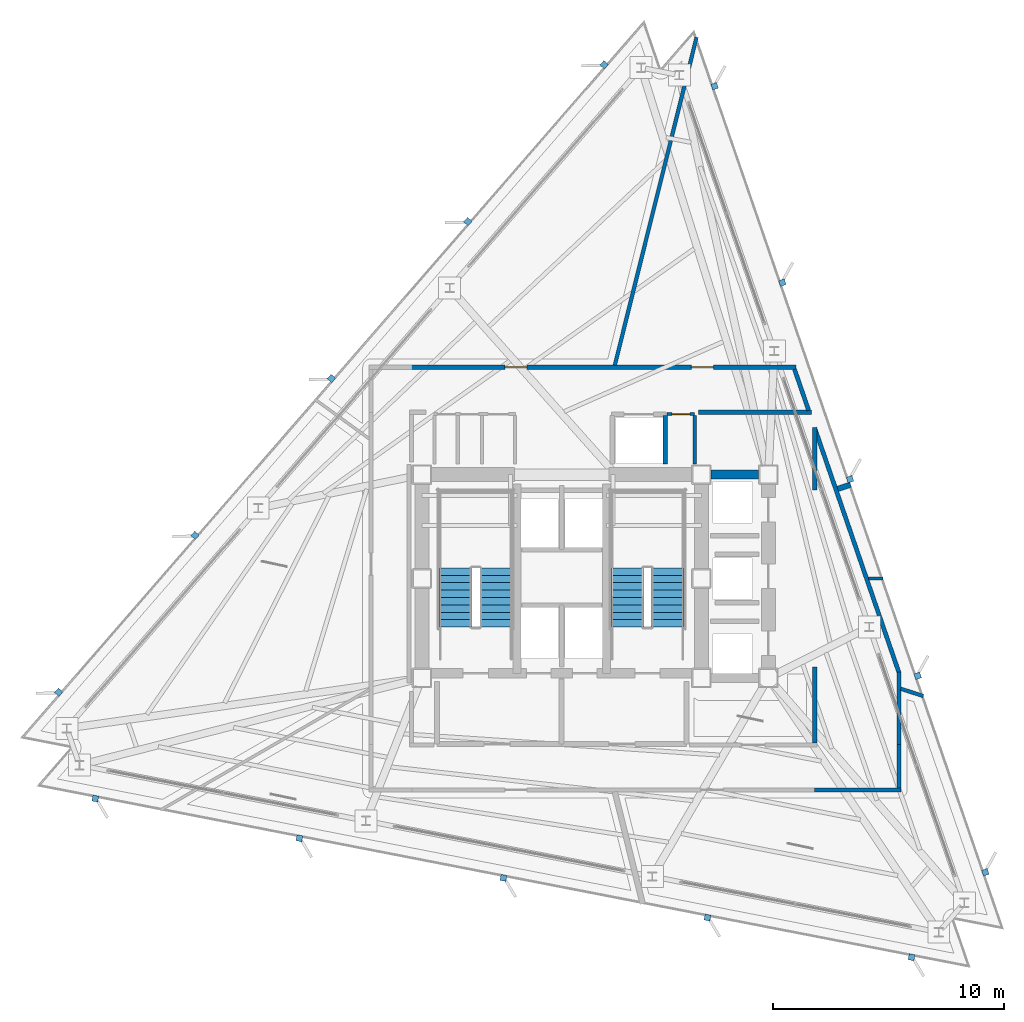
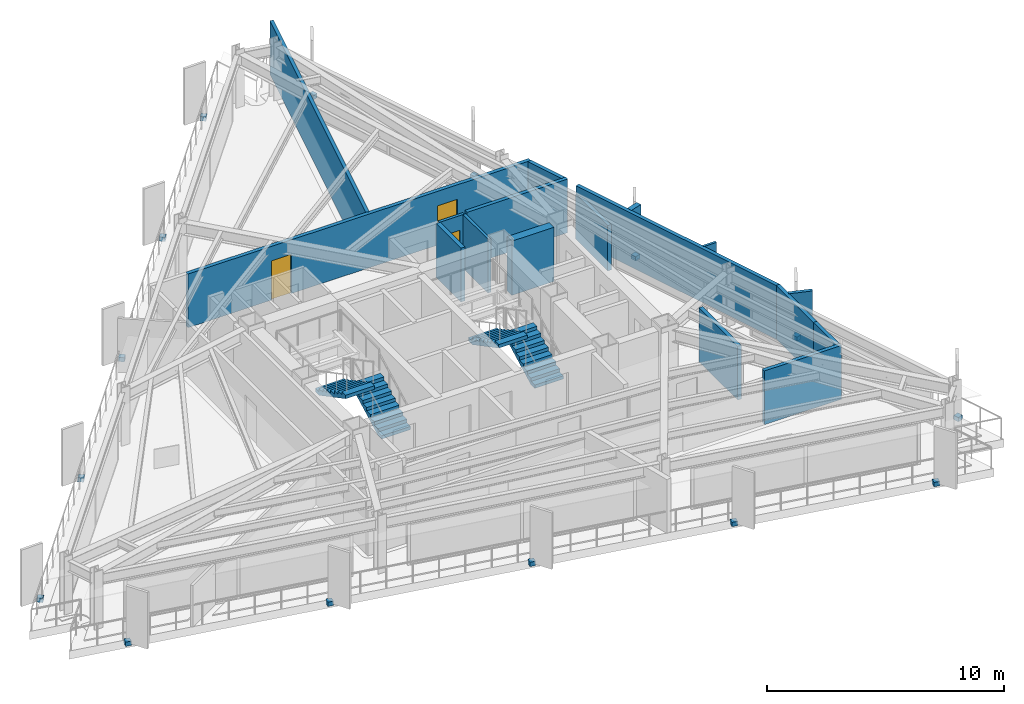
# One storey, part 10 of 13: 17 walls, 15 discrete accessories, 4 stair flights, 3 doors, 3 openings, 2 elements without a shape of their own.
"""IFC4 building model written with IfcOpenShell, lengths in metres."""

from ifc_helpers import new_model, si_unit, direction, frame, frame_2d, origin, origin_2d, place, context, subcontext, project, spatial, polyline, rectangle, outline, extrude, material, layer, layer_set, type_object, element, fill, aggregate, save


model = new_model("IFC4")

# Units and contexts
model_context = context("Model", 3, precision=1e-05, world=origin(), true_north=direction((0.0, 1.0)))
body_context = subcontext(model_context, "Body", "Model", "MODEL_VIEW")
ifc_project = project(units=[si_unit("LENGTHUNIT", "METRE"), si_unit("AREAUNIT", "SQUARE_METRE"), si_unit("VOLUMEUNIT", "CUBIC_METRE"), si_unit("PLANEANGLEUNIT", "RADIAN"), si_unit("MASSUNIT", "GRAM", prefix="KILO")], contexts=[model_context])

# Site, building, storey
site_placement = place(None, origin())
site = spatial("IfcSite", under=ifc_project, at=site_placement, CompositionType="ELEMENT")
building_placement = place(site_placement, origin())
building = spatial("IfcBuilding", under=site, at=building_placement, Name="Rocaltana Carrier Exchange", CompositionType="ELEMENT")
storey_placement = place(building_placement, frame((0.0, 0.0, 147.199951171875)))
storey = spatial("IfcBuildingStorey", under=building, at=storey_placement, Name="L46", CompositionType="ELEMENT", Elevation=147.199951171875)

# Walls
ifc_material_1 = material(Name="Double Acoustic Gypsum Partition", Category="gypsum")
ifc_layer_1 = layer(ifc_material_1, 0.159912109375)
ifc_layer_set_1 = layer_set([ifc_layer_1], Name="Double Acoustic Gypsum Partition")
wall_type_1 = type_object("IfcWallType", Name="Acoustic Studio Partition 160 EI60", PredefinedType="PARTITIONING", material=ifc_layer_set_1)
wall_1_placement = place(storey_placement, frame((14.679931640625, -4.769775390625, 0.0), z_axis=(0.0, 0.0, 1.0), x_axis=(0.951039270022, -0.309070067906, 0.0)))
element("IfcWall", 1, at=wall_1_placement, inside=storey, type_object=wall_type_1, Name="L46 Suite Divider Wall D3", PredefinedType="PARTITIONING", context=body_context, shape_type="SweptSolid", body=[
    extrude(rectangle(XDim=1.034912109375, YDim=0.159912109375, at=frame_2d((0.517578125, 0.0))), origin(), (0.0, 0.0, 1.0), 2.762939453125),
])
wall_2_placement = place(storey_placement, frame((2.30126953125, 9.22998046875, 0.0), z_axis=(0.0, 0.0, 1.0), x_axis=(0.241931245301, 0.970293395086, 0.0)))
element("IfcWall", 2, at=wall_2_placement, inside=storey, type_object=wall_type_1, Name="L46 Suite Divider Wall D6", PredefinedType="PARTITIONING", context=body_context, shape_type="SweptSolid", body=[
    extrude(rectangle(XDim=14.638427734375, YDim=0.159912109375, at=frame_2d((7.3193359375, 0.0))), origin(), (0.0, 0.0, 1.0), 2.762939453125),
])
ifc_material_2 = material(Name="Concrete C50/60", Category="concrete")
ifc_layer_2 = layer(ifc_material_2, 0.39990234375)
ifc_layer_set_2 = layer_set([ifc_layer_2], Name="Concrete C50/60")
wall_type_2 = type_object("IfcWallType", Name="Core Internal Shear Wall 400", PredefinedType="SHEAR", material=ifc_layer_set_2)
wall_3_placement = place(storey_placement, frame((6.47509765625, 4.5, 0.0), z_axis=(0.0, 0.0, 1.0), x_axis=(1.0, 0.0, 0.0)))
element("IfcWall", 3, at=wall_3_placement, inside=storey, type_object=wall_type_2, Name="L46 Core Shear Wall CW-EWN", PredefinedType="SHEAR", context=body_context, shape_type="SweptSolid", body=[
    extrude(rectangle(XDim=2.0498046875, YDim=0.39990234375, at=frame_2d((1.02490234375, 0.0))), origin(), (0.0, 0.0, 1.0), 2.7880859375),
])

# Wall, openings, doors
ifc_material_3 = material(Name="Gypsum & Steel Stud Partition", Category="steel")
ifc_layer_3 = layer(ifc_material_3, 0.179931640625)
ifc_layer_set_3 = layer_set([ifc_layer_3], Name="Gypsum & Steel Stud Partition")
wall_type_3 = type_object("IfcWallType", Name="Corridor Fire Partition 180 EI60", PredefinedType="PARTITIONING", material=ifc_layer_set_3)
wall_4_placement = place(storey_placement, frame((-6.52001953125, 9.14990234375, 0.0), z_axis=(0.0, 0.0, 1.0), x_axis=(1.0, 0.0, 0.0)))
wall_4 = element("IfcWall", 4, at=wall_4_placement, inside=storey, type_object=wall_type_3, Name="L46 Corridor Partition 6", PredefinedType="PARTITIONING", context=body_context, shape_type="SweptSolid", body=[
    extrude(rectangle(XDim=16.662353515625, YDim=0.179931640625, at=frame_2d((8.3310546875, 0.0))), origin(), (0.0, 0.0, 1.0), 2.762939453125),
])
opening_1_placement = place(wall_4_placement, frame((12.1328125, 0.0, 0.0)))
opening_1 = element("IfcOpeningElement", 5, at=opening_1_placement, cuts=wall_4, Name="Opening D-RM098", PredefinedType="OPENING", context=body_context, shape_type="SweptSolid", body=[
    extrude(rectangle(XDim=0.9599609375, YDim=2.02001953125, at=frame_2d((0.47998046875, 1.010009765625))), frame((0.0, 0.099853515625, 0.0), z_axis=(0.0, -1.0, 0.0), x_axis=(1.0, 0.0, 0.0)), (0.0, 0.0, 1.0), 0.199951171875),
])
opening_2_placement = place(wall_4_placement, frame((4.059814453125, 0.0, 0.0)))
opening_2 = element("IfcOpeningElement", 6, at=opening_2_placement, cuts=wall_4, Name="Opening D-RM098", PredefinedType="OPENING", context=body_context, shape_type="SweptSolid", body=[
    extrude(rectangle(XDim=0.9599609375, YDim=2.02001953125, at=frame_2d((0.47998046875, 1.010009765625))), frame((0.0, 0.099853515625, 0.0), z_axis=(0.0, -1.0, 0.0), x_axis=(1.0, 0.0, 0.0)), (0.0, 0.0, 1.0), 0.199951171875),
])
ifc_material_4 = material(Name="Engineered Hardwood Timber", Category="wood")
door_type_1 = type_object("IfcDoorType", Name="Workspace Single Door 960x2020", OperationType="NOTDEFINED", PredefinedType="DOOR", material=ifc_material_4)
door_1_placement = place(opening_1_placement, origin())
door_1 = element("IfcDoor", 7, at=door_1_placement, inside=storey, type_object=door_type_1, Name="L46 Peering Conference Room Entrance Door", OperationType="SINGLE_SWING_RIGHT", OverallHeight=2.02001953125, OverallWidth=0.9599609375, PredefinedType="DOOR", context=body_context, shape_type="SweptSolid", body=[
    extrude(rectangle(XDim=0.9599609375, YDim=2.02001953125, at=frame_2d((0.47998046875, 1.010009765625))), frame((0.0, 0.02490234375, 0.0), z_axis=(0.0, -1.0, 0.0), x_axis=(1.0, 0.0, 0.0)), (0.0, 0.0, 1.0), 0.050048828125),
])
fill(opening_1, door_1)
door_2_placement = place(opening_2_placement, origin())
door_2 = element("IfcDoor", 8, at=door_2_placement, inside=storey, type_object=door_type_1, Name="L46 Network Operations Office Entrance Door", OperationType="SINGLE_SWING_LEFT", OverallHeight=2.02001953125, OverallWidth=0.9599609375, PredefinedType="DOOR", context=body_context, shape_type="SweptSolid", body=[
    extrude(rectangle(XDim=0.9599609375, YDim=2.02001953125, at=frame_2d((0.47998046875, 1.010009765625))), frame((0.0, 0.02490234375, 0.0), z_axis=(0.0, -1.0, 0.0), x_axis=(1.0, 0.0, 0.0)), (0.0, 0.0, 1.0), 0.050048828125),
])
fill(opening_2, door_2)

# Walls
wall_5_placement = place(storey_placement, frame((10.08154296875, 9.06494140625, 0.0), z_axis=(0.0, 0.0, 1.0), x_axis=(0.325550958337, -0.945524496524, 0.0)))
element("IfcWall", 9, at=wall_5_placement, inside=storey, type_object=wall_type_3, Name="L46 Corridor Partition 7", PredefinedType="PARTITIONING", context=body_context, shape_type="SweptSolid", body=[
    extrude(rectangle(XDim=1.88232421875, YDim=0.179931640625, at=frame_2d((0.941162109375, 0.0))), origin(), (0.0, 0.0, 1.0), 2.762939453125),
])
wall_6_placement = place(storey_placement, frame((10.813720703125, 7.199951171875, 0.0), z_axis=(0.0, 0.0, 1.0), x_axis=(-1.0, 0.0, 0.0)))
element("IfcWall", 10, at=wall_6_placement, inside=storey, type_object=wall_type_3, Name="L46 Corridor Partition 8", PredefinedType="PARTITIONING", context=body_context, shape_type="SweptSolid", body=[
    extrude(rectangle(XDim=4.8837890625, YDim=0.179931640625, at=frame_2d((2.44189453125, 0.0))), origin(), (0.0, 0.0, 1.0), 2.762939453125),
])
wall_7_placement = place(storey_placement, frame((10.9599609375, -7.110107421875, 0.0), z_axis=(0.0, 0.0, 1.0), x_axis=(0.0, 1.0, 0.0)))
element("IfcWall", 11, at=wall_7_placement, inside=storey, type_object=wall_type_3, Name="L46 Corridor Partition 15", PredefinedType="PARTITIONING", context=body_context, shape_type="SweptSolid", body=[
    extrude(rectangle(XDim=3.2705078125, YDim=0.179931640625, at=frame_2d((1.63525390625, 0.0))), origin(), (0.0, 0.0, 1.0), 2.762939453125),
])
wall_8_placement = place(storey_placement, frame((10.9599609375, 3.839599609375, 0.0), z_axis=(0.0, 0.0, 1.0), x_axis=(0.0, 1.0, 0.0)))
element("IfcWall", 12, at=wall_8_placement, inside=storey, type_object=wall_type_3, Name="L46 Corridor Partition 16", PredefinedType="PARTITIONING", context=body_context, shape_type="SweptSolid", body=[
    extrude(rectangle(XDim=2.694091796875, YDim=0.179931640625, at=frame_2d((1.34716796875, 0.0))), origin(), (0.0, 0.0, 1.0), 2.330078125),
])
wall_9_placement = place(storey_placement, frame((10.95361328125, 6.53271484375, 0.0), z_axis=(0.0, 0.0, 1.0), x_axis=(0.325553439946, -0.945523642084, 0.0)))
element("IfcWall", 13, at=wall_9_placement, inside=storey, type_object=wall_type_3, Name="L46 Corridor Partition 17", PredefinedType="PARTITIONING", context=body_context, shape_type="SweptSolid", body=[
    extrude(rectangle(XDim=11.220458984375, YDim=0.179931640625, at=frame_2d((5.6103515625, 0.0))), origin(), (0.0, 0.0, 1.0), 2.762939453125),
])
wall_10_placement = place(storey_placement, frame((14.60009765625, -4.03759765625, 0.0), z_axis=(0.0, 0.0, 1.0), x_axis=(0.0, -1.0, 0.0)))
element("IfcWall", 14, at=wall_10_placement, inside=storey, type_object=wall_type_3, Name="L46 Corridor Partition 18", PredefinedType="PARTITIONING", context=body_context, shape_type="SweptSolid", body=[
    extrude(rectangle(XDim=3.182373046875, YDim=0.179931640625, at=frame_2d((1.59130859375, 0.0))), origin(), (0.0, 0.0, 1.0), 2.762939453125),
])
wall_11_placement = place(storey_placement, frame((14.60009765625, -7.179931640625, 0.0), z_axis=(0.0, 0.0, 1.0), x_axis=(0.0, -1.0, 0.0)))
element("IfcWall", 15, at=wall_11_placement, inside=storey, type_object=wall_type_3, Name="L46 Corridor Partition 19", PredefinedType="PARTITIONING", context=body_context, shape_type="SweptSolid", body=[
    extrude(rectangle(XDim=1.880126953125, YDim=0.179931640625, at=frame_2d((0.93994140625, 0.0))), origin(), (0.0, 0.0, 1.0), 2.762939453125),
])
wall_12_placement = place(storey_placement, frame((14.68994140625, -9.14990234375, 0.0), z_axis=(0.0, 0.0, 1.0), x_axis=(-1.0, 0.0, 0.0)))
element("IfcWall", 16, at=wall_12_placement, inside=storey, type_object=wall_type_3, Name="L46 Corridor Partition 20", PredefinedType="PARTITIONING", context=body_context, shape_type="SweptSolid", body=[
    extrude(rectangle(XDim=3.75, YDim=0.179931640625, at=frame_2d((1.875, 0.0))), origin(), (0.0, 0.0, 1.0), 2.762939453125),
])
ifc_material_5 = material(Name="Aluminium 6063-T6 & Acoustic Glass", Category="aluminium")
ifc_layer_4 = layer(ifc_material_5, 0.114990234375)
ifc_layer_set_4 = layer_set([ifc_layer_4], Name="Aluminium 6063-T6 & Acoustic Glass")
wall_type_4 = type_object("IfcWallType", Name="Demountable Glazed Lab Partition 115", PredefinedType="MOVABLE", material=ifc_layer_set_4)
wall_13_placement = place(storey_placement, frame((13.28759765625, 0.0, 0.0), z_axis=(0.0, 0.0, 1.0), x_axis=(1.0, 0.0, 0.0)))
element("IfcWall", 17, at=wall_13_placement, inside=storey, type_object=wall_type_4, Name="L46 Suite Divider Wall D4", PredefinedType="MOVABLE", context=body_context, shape_type="SweptSolid", body=[
    extrude(rectangle(XDim=0.6240234375, YDim=0.114990234375, at=frame_2d((0.31201171875, 0.0))), origin(), (0.0, 0.0, 1.0), 2.762939453125),
])
ifc_material_6 = material(Name="Acoustic Calcium Silicate Partition", Category="gypsum")
ifc_layer_5 = layer(ifc_material_6, 0.239990234375)
ifc_layer_set_5 = layer_set([ifc_layer_5], Name="Acoustic Calcium Silicate Partition")
wall_type_5 = type_object("IfcWallType", Name="Heavy Lab Partition 240 EI90", PredefinedType="PARTITIONING", material=ifc_layer_set_5)
wall_14_placement = place(storey_placement, frame((11.950439453125, 3.8828125, 0.0), z_axis=(0.0, 0.0, 1.0), x_axis=(0.951055346906, 0.309020593362, 0.0)))
element("IfcWall", 18, at=wall_14_placement, inside=storey, type_object=wall_type_5, Name="L46 Suite Divider Wall D5", PredefinedType="PARTITIONING", context=body_context, shape_type="SweptSolid", body=[
    extrude(rectangle(XDim=0.590087890625, YDim=0.239990234375, at=frame_2d((0.294921875, 0.0))), origin(), (0.0, 0.0, 1.0), 2.762939453125),
])
ifc_material_7 = material(Name="Reinforced Concrete Block C35/45", Category="concrete")
ifc_layer_6 = layer(ifc_material_7, 0.199951171875)
ifc_layer_set_6 = layer_set([ifc_layer_6], Name="Reinforced Concrete Block C35/45")
wall_type_6 = type_object("IfcWallType", Name="Lift Hoistway Enclosure Wall 200 EI120", PredefinedType="PARTITIONING", material=ifc_layer_set_6)
wall_15_placement = place(storey_placement, frame((4.47998046875, 4.949951171875, 0.0), z_axis=(0.0, 0.0, 1.0), x_axis=(0.0, 1.0, 0.0)))
element("IfcWall", 19, at=wall_15_placement, inside=storey, type_object=wall_type_6, Name="L46 Goods Lift East Wall", PredefinedType="PARTITIONING", context=body_context, shape_type="SweptSolid", body=[
    extrude(rectangle(XDim=2.10009765625, YDim=0.199951171875, at=frame_2d((1.050048828125, 0.0))), origin(), (0.0, 0.0, 1.0), 2.762939453125),
])
ifc_material_8 = material(Name="Moisture-Resistant Masonry C30/37", Category="masonry")
ifc_layer_7 = layer(ifc_material_8, 0.139892578125)
ifc_layer_set_7 = layer_set([ifc_layer_7], Name="Moisture-Resistant Masonry C30/37")
wall_type_7 = type_object("IfcWallType", Name="Wet-Area Sanitary Partition 140", PredefinedType="PARTITIONING", material=ifc_layer_set_7)
wall_16_placement = place(storey_placement, frame((5.760009765625, 4.949951171875, 0.0), z_axis=(0.0, 0.0, 1.0), x_axis=(0.0, 1.0, 0.0)))
element("IfcWall", 20, at=wall_16_placement, inside=storey, type_object=wall_type_7, Name="L46 Riser East Wall", PredefinedType="PARTITIONING", context=body_context, shape_type="SweptSolid", body=[
    extrude(rectangle(XDim=2.10009765625, YDim=0.139892578125, at=frame_2d((1.050048828125, 0.0))), origin(), (0.0, 0.0, 1.0), 2.762939453125),
])

# Wall, opening, door
wall_17_placement = place(storey_placement, frame((4.56005859375, 7.1201171875, 0.0), z_axis=(0.0, 0.0, 1.0), x_axis=(1.0, 0.0, 0.0)))
wall_17 = element("IfcWall", 21, at=wall_17_placement, inside=storey, type_object=wall_type_7, Name="L46 Riser North Wall", PredefinedType="PARTITIONING", context=body_context, shape_type="SweptSolid", body=[
    extrude(rectangle(XDim=1.199951171875, YDim=0.139892578125, at=frame_2d((0.60009765625, 0.0))), origin(), (0.0, 0.0, 1.0), 2.762939453125),
])
opening_3_placement = place(wall_17_placement, frame((0.2099609375, 0.0, 0.0)))
opening_3 = element("IfcOpeningElement", 22, at=opening_3_placement, cuts=wall_17, Name="Opening D-RS082", PredefinedType="OPENING", context=body_context, shape_type="SweptSolid", body=[
    extrude(rectangle(XDim=0.780029296875, YDim=2.010009765625, at=frame_2d((0.39013671875, 1.0048828125))), frame((0.0, 0.079833984375, 0.0), z_axis=(0.0, -1.0, 0.0), x_axis=(1.0, 0.0, 0.0)), (0.0, 0.0, 1.0), 0.159912109375),
])
ifc_material_9 = material(Name="Hollow Metal Access Door Leaf", Category="steel")
door_type_2 = type_object("IfcDoorType", Name="Riser & Service Closet Door 780x2010", OperationType="NOTDEFINED", PredefinedType="DOOR", material=ifc_material_9)
door_3_placement = place(opening_3_placement, origin())
door_3 = element("IfcDoor", 23, at=door_3_placement, inside=storey, type_object=door_type_2, Name="L46 Signal Riser Closet Door", OperationType="SINGLE_SWING_LEFT", OverallHeight=2.010009765625, OverallWidth=0.780029296875, PredefinedType="DOOR", context=body_context, shape_type="SweptSolid", body=[
    extrude(rectangle(XDim=0.780029296875, YDim=2.010009765625, at=frame_2d((0.39013671875, 1.0048828125))), frame((0.0, 0.02490234375, 0.0), z_axis=(0.0, -1.0, 0.0), x_axis=(1.0, 0.0, 0.0)), (0.0, 0.0, 1.0), 0.050048828125),
])
fill(opening_3, door_3)

# Stair, stair flights
ifc_material_10 = material(Name="Precast concrete C45/55", Category="concrete")
stair_type = type_object("IfcStairType", Name="Standard Dog-Leg Stair 160", PredefinedType="HALF_TURN_STAIR", material=ifc_material_10)
stair_1_placement = place(storey_placement, origin())
stair_1 = element("IfcStair", 24, at=stair_1_placement, inside=storey, type_object=stair_type, Name="L46 Core West Exit Stair ST-1", PredefinedType="HALF_TURN_STAIR")
ifc_material_11 = material(Name="Precast concrete C45/55", Category="concrete")
stair_flight_type = type_object("IfcStairFlightType", Name="Precast Stair Flight 160", PredefinedType="STRAIGHT", material=ifc_material_11)
stair_flight_1_placement = place(storey_placement, frame((-2.840087890625, -2.10009765625, 0.0), z_axis=(0.0, 0.0, 1.0), x_axis=(0.0, 1.0, 0.0)))
stair_flight_1 = element("IfcStairFlight", 25, at=stair_flight_1_placement, type_object=stair_flight_type, Name="ST-1 flight 1", NumberOfRisers=9, NumberOfTreads=8, PredefinedType="STRAIGHT", RiserHeight=0.168888889, TreadLength=0.32, context=body_context, shape_type="SweptSolid", body=[
    extrude(outline(polyline([(0.0, 0.0), (0.0, 0.1689453125), (0.320068359375, 0.1689453125), (0.320068359375, 0.337890625), (0.639892578125, 0.337890625), (0.639892578125, 0.506591796875), (0.9599609375, 0.506591796875), (0.9599609375, 0.675537109375), (1.280029296875, 0.675537109375), (1.280029296875, 0.844482421875), (1.60009765625, 0.844482421875), (1.60009765625, 1.013427734375), (1.919921875, 1.013427734375), (1.919921875, 1.18212890625), (2.239990234375, 1.18212890625), (2.239990234375, 1.35107421875), (2.56005859375, 1.35107421875), (2.56005859375, 1.52001953125), (2.56005859375, 1.17041015625), (0.342529296875, 0.0), (0.0, 0.0)])), frame((0.0, 0.699951171875, 0.0), z_axis=(0.0, -1.0, 0.0), x_axis=(1.0, 0.0, 0.0)), (0.0, 0.0, 1.0), 1.39990234375),
])
stair_flight_2_placement = place(storey_placement, frame((-4.60009765625, 0.4599609375, 1.52001953125), z_axis=(0.0, 0.0, 1.0), x_axis=(0.0, -1.0, 0.0)))
stair_flight_2 = element("IfcStairFlight", 26, at=stair_flight_2_placement, type_object=stair_flight_type, Name="ST-1 flight 2", NumberOfRisers=9, NumberOfTreads=8, PredefinedType="STRAIGHT", RiserHeight=0.168888889, TreadLength=0.32, context=body_context, shape_type="SweptSolid", body=[
    extrude(outline(polyline([(0.0, 0.0), (0.0, 0.1689453125), (0.320068359375, 0.1689453125), (0.320068359375, 0.337890625), (0.639892578125, 0.337890625), (0.639892578125, 0.506591796875), (0.9599609375, 0.506591796875), (0.9599609375, 0.675537109375), (1.280029296875, 0.675537109375), (1.280029296875, 0.844482421875), (1.60009765625, 0.844482421875), (1.60009765625, 1.013427734375), (1.919921875, 1.013427734375), (1.919921875, 1.18212890625), (2.239990234375, 1.18212890625), (2.239990234375, 1.35107421875), (2.56005859375, 1.35107421875), (2.56005859375, 1.52001953125), (2.56005859375, 1.17041015625), (0.342529296875, 0.0), (0.0, 0.0)])), frame((0.0, 0.699951171875, 0.0), z_axis=(0.0, -1.0, 0.0), x_axis=(1.0, 0.0, 0.0)), (0.0, 0.0, 1.0), 1.39990234375),
])
aggregate(stair_1, [stair_flight_1, stair_flight_2])

stair_2_placement = place(storey_placement, origin())
stair_2 = element("IfcStair", 27, at=stair_2_placement, inside=storey, type_object=stair_type, Name="L46 Core East Exit Stair ST-2", PredefinedType="HALF_TURN_STAIR")
stair_flight_3_placement = place(storey_placement, frame((4.60009765625, -2.10009765625, 0.0), z_axis=(0.0, 0.0, 1.0), x_axis=(0.0, 1.0, 0.0)))
stair_flight_3 = element("IfcStairFlight", 28, at=stair_flight_3_placement, type_object=stair_flight_type, Name="ST-2 flight 1", NumberOfRisers=9, NumberOfTreads=8, PredefinedType="STRAIGHT", RiserHeight=0.168888889, TreadLength=0.32, context=body_context, shape_type="SweptSolid", body=[
    extrude(outline(polyline([(0.0, 0.0), (0.0, 0.1689453125), (0.320068359375, 0.1689453125), (0.320068359375, 0.337890625), (0.639892578125, 0.337890625), (0.639892578125, 0.506591796875), (0.9599609375, 0.506591796875), (0.9599609375, 0.675537109375), (1.280029296875, 0.675537109375), (1.280029296875, 0.844482421875), (1.60009765625, 0.844482421875), (1.60009765625, 1.013427734375), (1.919921875, 1.013427734375), (1.919921875, 1.18212890625), (2.239990234375, 1.18212890625), (2.239990234375, 1.35107421875), (2.56005859375, 1.35107421875), (2.56005859375, 1.52001953125), (2.56005859375, 1.17041015625), (0.342529296875, 0.0), (0.0, 0.0)])), frame((0.0, 0.699951171875, 0.0), z_axis=(0.0, -1.0, 0.0), x_axis=(1.0, 0.0, 0.0)), (0.0, 0.0, 1.0), 1.39990234375),
])
stair_flight_4_placement = place(storey_placement, frame((2.840087890625, 0.4599609375, 1.52001953125), z_axis=(0.0, 0.0, 1.0), x_axis=(0.0, -1.0, 0.0)))
stair_flight_4 = element("IfcStairFlight", 29, at=stair_flight_4_placement, type_object=stair_flight_type, Name="ST-2 flight 2", NumberOfRisers=9, NumberOfTreads=8, PredefinedType="STRAIGHT", RiserHeight=0.168888889, TreadLength=0.32, context=body_context, shape_type="SweptSolid", body=[
    extrude(outline(polyline([(0.0, 0.0), (0.0, 0.1689453125), (0.320068359375, 0.1689453125), (0.320068359375, 0.337890625), (0.639892578125, 0.337890625), (0.639892578125, 0.506591796875), (0.9599609375, 0.506591796875), (0.9599609375, 0.675537109375), (1.280029296875, 0.675537109375), (1.280029296875, 0.844482421875), (1.60009765625, 0.844482421875), (1.60009765625, 1.013427734375), (1.919921875, 1.013427734375), (1.919921875, 1.18212890625), (2.239990234375, 1.18212890625), (2.239990234375, 1.35107421875), (2.56005859375, 1.35107421875), (2.56005859375, 1.52001953125), (2.56005859375, 1.17041015625), (0.342529296875, 0.0), (0.0, 0.0)])), frame((0.0, 0.699951171875, 0.0), z_axis=(0.0, -1.0, 0.0), x_axis=(1.0, 0.0, 0.0)), (0.0, 0.0, 1.0), 1.39990234375),
])
aggregate(stair_2, [stair_flight_3, stair_flight_4])

# Discrete accessories
ifc_material_12 = material(Name="Brushed Architectural Stainless Metal", Category="steel")
ifc_layer_8 = layer(ifc_material_12, 0.219970703125)
ifc_layer_set_8 = layer_set([ifc_layer_8], Name="Brushed Architectural Stainless Metal")
discrete_accessory_type = type_object("IfcDiscreteAccessoryType", Name="Stainless Fin Slab-Edge Bracket 260x260x220", PredefinedType="BRACKET", material=ifc_layer_set_8)
for number, where, z_axis, x_axis, name in (
    (30, (18.344482421875, -12.720703125, -0.2099609375), (0.0, 0.0, 1.0), (-0.325568154457, 0.945518575599, 0.0), "L46 Sandstone Fin Edge Bracket F1-01"),
    (31, (15.414306640625, -4.2109375, -0.2099609375), (0.0, 0.0, 1.0), (-0.325568154457, 0.945518575599, 0.0), "L46 Sandstone Fin Edge Bracket F1-02"),
    (32, (12.484130859375, 4.298583984375, -0.2099609375), (0.0, 0.0, 1.0), (-0.325568154457, 0.945518575599, 0.0), "L46 Sandstone Fin Edge Bracket F1-03"),
    (33, (9.55419921875, 12.808349609375, -0.2099609375), (0.0, 0.0, 1.0), (-0.325568154457, 0.945518575599, 0.0), "L46 Sandstone Fin Edge Bracket F1-04"),
    (34, (6.6240234375, 21.318115234375, -0.2099609375), (0.0, 0.0, 1.0), (-0.325568154457, 0.945518575599, 0.0), "L46 Sandstone Fin Edge Bracket F1-05"),
    (35, (1.84423828125, 22.2470703125, -0.2099609375), (0.0, 0.0, 1.0), (-0.656059028991, -0.754709580223, 0.0), "L46 Sandstone Fin Edge Bracket F2-01"),
    (36, (-4.060302734375, 15.45458984375, -0.2099609375), (0.0, 0.0, 1.0), (-0.656059028991, -0.754709580223, 0.0), "L46 Sandstone Fin Edge Bracket F2-02"),
    (37, (-9.96484375, 8.662353515625, -0.2099609375), (0.0, 0.0, 1.0), (-0.656059028991, -0.754709580223, 0.0), "L46 Sandstone Fin Edge Bracket F2-03"),
    (38, (-15.869384765625, 1.869873046875, -0.2099609375), (0.0, 0.0, 1.0), (-0.656059028991, -0.754709580223, 0.0), "L46 Sandstone Fin Edge Bracket F2-04"),
    (39, (-21.77392578125, -4.92236328125, -0.2099609375), (0.0, 0.0, 1.0), (-0.656059028991, -0.754709580223, 0.0), "L46 Sandstone Fin Edge Bracket F2-05"),
    (40, (-20.188720703125, -9.5263671875, -0.2099609375), (0.0, 0.0, 1.0), (0.981627183448, -0.190808995377, 0.0), "L46 Sandstone Fin Edge Bracket F3-01"),
    (41, (-11.35400390625, -11.24365234375, -0.2099609375), (0.0, 0.0, 1.0), (0.981627183448, -0.190808995377, 0.0), "L46 Sandstone Fin Edge Bracket F3-02"),
    (42, (-2.519287109375, -12.9609375, -0.2099609375), (0.0, 0.0, 1.0), (0.981627183448, -0.190808995377, 0.0), "L46 Sandstone Fin Edge Bracket F3-03"),
    (43, (6.315185546875, -14.67822265625, -0.2099609375), (0.0, 0.0, 1.0), (0.981627183448, -0.190808995377, 0.0), "L46 Sandstone Fin Edge Bracket F3-04"),
    (44, (15.14990234375, -16.3955078125, -0.2099609375), (0.0, 0.0, 1.0), (0.981627183448, -0.190808995377, 0.0), "L46 Sandstone Fin Edge Bracket F3-05"),
):
    element("IfcDiscreteAccessory", number, at=place(storey_placement, frame(where, z_axis=z_axis, x_axis=x_axis)), inside=storey, type_object=discrete_accessory_type, Name=name, PredefinedType="BRACKET", context=body_context, shape_type="SweptSolid", body=[
        extrude(rectangle(XDim=0.260009765625, YDim=0.260009765625, at=origin_2d()), origin(), (0.0, 0.0, 1.0), 0.219970703125),
    ])

save(model, "model.ifc")
